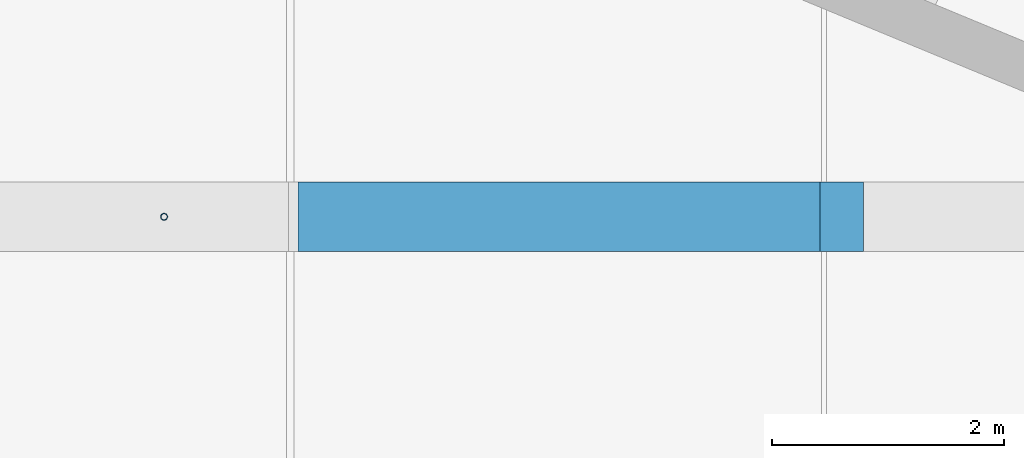
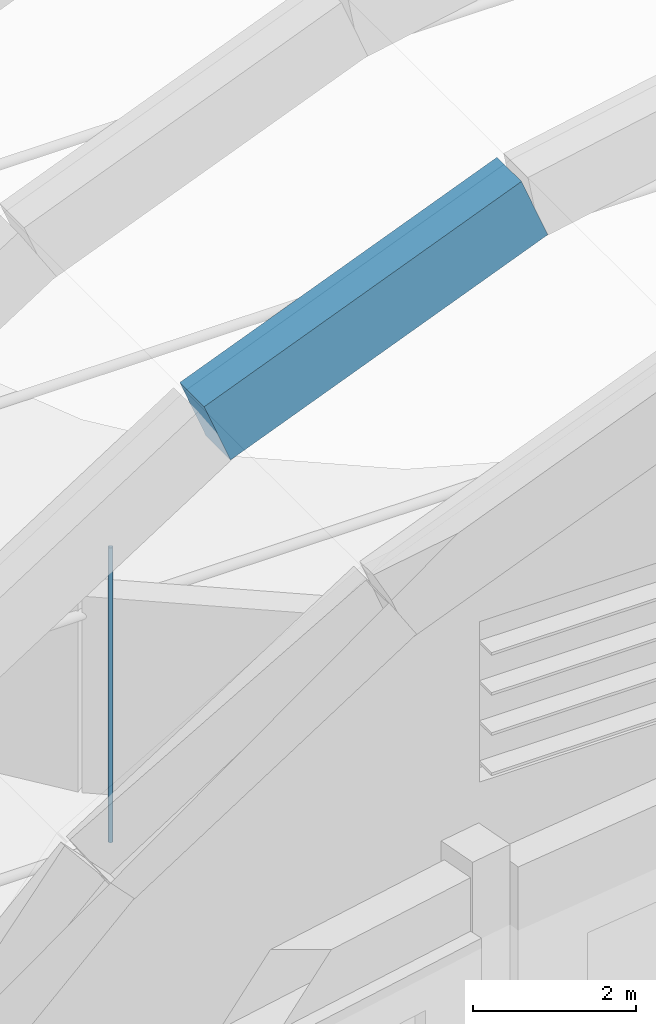
# One storey, part 12 of 94: 1 beam, 1 member.
"""IFC4 building model written with IfcOpenShell, lengths in metres."""

from ifc_helpers import new_model, si_unit, direction, frame, origin, origin_2d, place, context, subcontext, project, spatial, rectangle, hollow_circle, extrude, material, material_profile, profile_set, type_object, element, save


model = new_model("IFC4")

# Units and contexts
model_context = context("Model", 3, precision=1e-05, world=origin(), true_north=direction((0.0, 1.0)))
body_context = subcontext(model_context, "Body", "Model", "MODEL_VIEW")
ifc_project = project(units=[si_unit("LENGTHUNIT", "METRE"), si_unit("AREAUNIT", "SQUARE_METRE"), si_unit("VOLUMEUNIT", "CUBIC_METRE"), si_unit("PLANEANGLEUNIT", "RADIAN"), si_unit("MASSUNIT", "GRAM", prefix="KILO")], contexts=[model_context])

# Site, building, storey
site_placement = place(None, origin())
site = spatial("IfcSite", under=ifc_project, at=site_placement, CompositionType="ELEMENT")
building_placement = place(site_placement, origin())
building = spatial("IfcBuilding", under=site, at=building_placement, Name="Lunette Opera House", CompositionType="ELEMENT")
storey_placement = place(building_placement, frame((0.0, 0.0, 22.5)))
storey = spatial("IfcBuildingStorey", under=building, at=storey_placement, Name="L04", CompositionType="ELEMENT", Elevation=22.5)

# Beam
ifc_material_1 = material(Name="Concrete C40/50", Category="concrete")
ifc_material_profile_1 = material_profile(ifc_material_1, rectangle(XDim=0.60009765625, YDim=1.0, at=origin_2d()), Name="ARCH BEAM 600X1000")
ifc_profile_set_1 = profile_set([ifc_material_profile_1], Name="Concrete C40/50")
beam_type = type_object("IfcBeamType", Name="ARCH BEAM 600X1000", PredefinedType="BEAM", material=ifc_profile_set_1)
beam_placement = place(storey_placement, frame((84.340087890625, 68.714111328125, 8.548095703125), z_axis=(0.92830257193, 0.0, 0.371825678172), x_axis=(0.0, 1.0, 0.0)))
element("IfcBeam", 1, at=beam_placement, inside=storey, type_object=beam_type, Name="beam-AU-L04-EA2-3", PredefinedType="BEAM", context=body_context, shape_type="SweptSolid", body=[
    extrude(rectangle(XDim=0.60009765625, YDim=1.0, at=origin_2d()), origin(), (0.0, 0.0, 1.0), 4.837890625),
])

# Member
ifc_material_2 = material(Name="Steel S355", Category="steel")
ifc_material_profile_2 = material_profile(ifc_material_2, hollow_circle(Radius=0.030029296875, WallThickness=0.00390625, at=origin_2d()), Name="CHS 60.3X4")
ifc_profile_set_2 = profile_set([ifc_material_profile_2], Name="Steel S355")
member_type = type_object("IfcMemberType", Name="CHS 60.3X4", PredefinedType="POST", material=ifc_profile_set_2)
member_placement = place(storey_placement, frame((83.0, 68.714111328125, 2.72998046875), z_axis=(0.0, 0.0, 1.0), x_axis=(1.0, 0.0, 0.0)))
element("IfcMember", 2, at=member_placement, inside=storey, type_object=member_type, Name="mem-AU-L04-HG2-83", PredefinedType="POST", context=body_context, shape_type="SweptSolid", body=[
    extrude(hollow_circle(Radius=0.030029296875, WallThickness=0.00390625, at=origin_2d()), origin(), (0.0, 0.0, 1.0), 4.4111328125),
])

save(model, "model.ifc")
